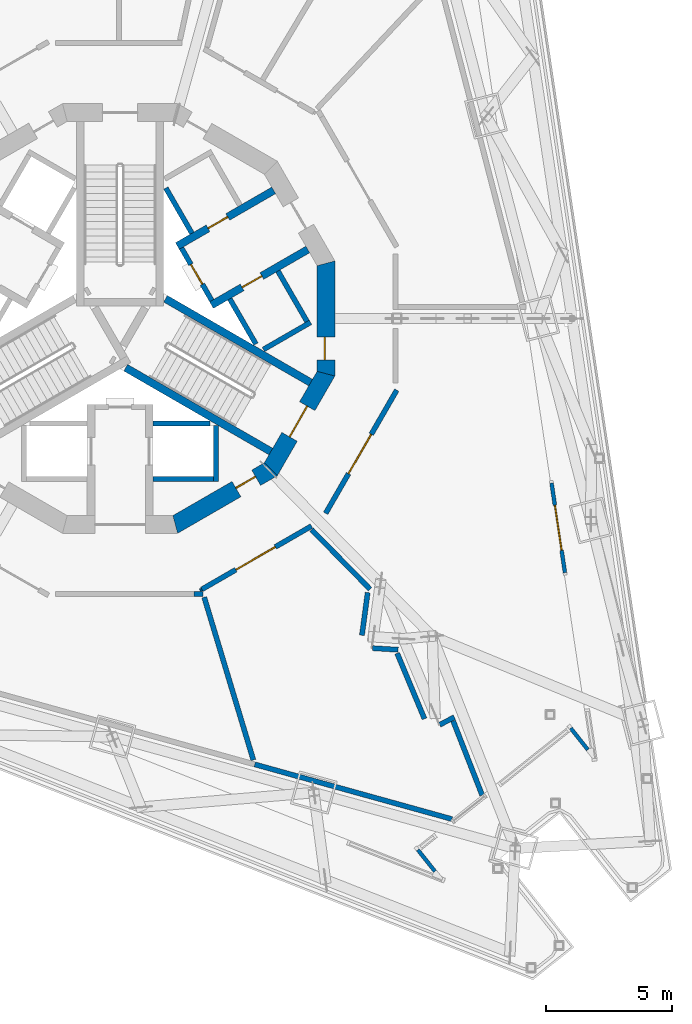
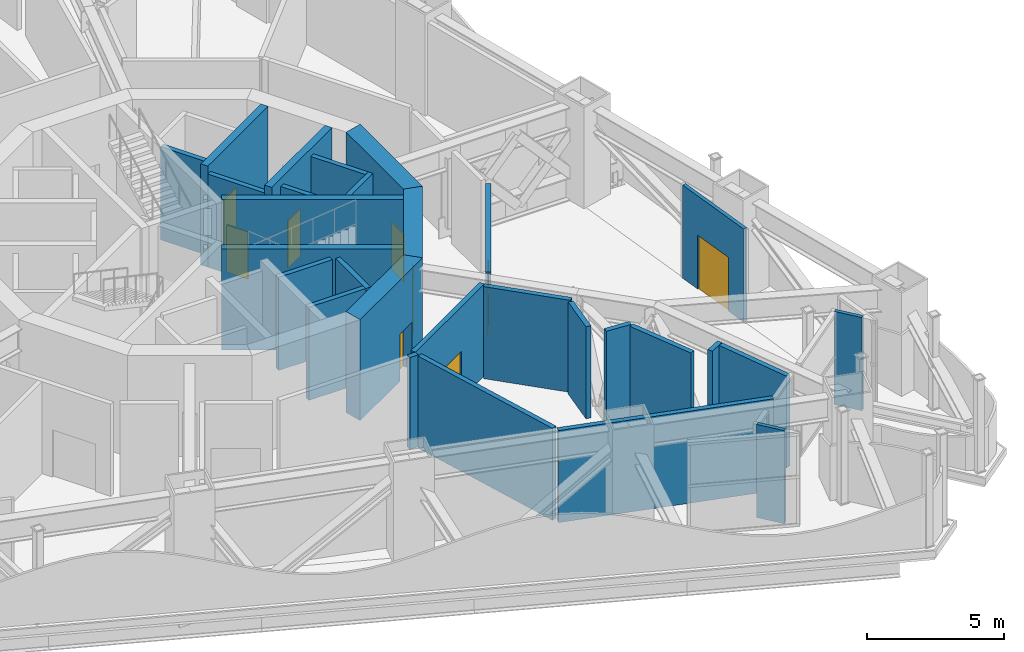
# One storey, part 12 of 27: 30 walls, 9 doors, 9 openings.
"""IFC4 building model written with IfcOpenShell, lengths in metres."""

from ifc_helpers import new_model, si_unit, direction, frame, frame_2d, origin, place, context, subcontext, project, spatial, polyline, rectangle, outline, extrude, material, layer, layer_set, type_object, element, fill, save


model = new_model("IFC4")

# Units and contexts
model_context = context("Model", 3, precision=1e-05, world=origin(), true_north=direction((0.0, 1.0)))
body_context = subcontext(model_context, "Body", "Model", "MODEL_VIEW")
ifc_project = project(units=[si_unit("LENGTHUNIT", "METRE"), si_unit("AREAUNIT", "SQUARE_METRE"), si_unit("VOLUMEUNIT", "CUBIC_METRE"), si_unit("PLANEANGLEUNIT", "RADIAN"), si_unit("MASSUNIT", "GRAM", prefix="KILO")], contexts=[model_context])

# Site, building, storey
site_placement = place(None, origin())
site = spatial("IfcSite", under=ifc_project, at=site_placement, CompositionType="ELEMENT")
building_placement = place(site_placement, origin())
building = spatial("IfcBuilding", under=site, at=building_placement, Name="Trine Commons Tower", CompositionType="ELEMENT")
storey_placement = place(building_placement, frame((0.0, 0.0, 230.39990234375)))
storey = spatial("IfcBuildingStorey", under=building, at=storey_placement, Name="L60", CompositionType="ELEMENT", Elevation=230.39990234375)

# Wall
ifc_material_1 = material(Name="Plasterboard on steel stud", Category="steel")
ifc_layer_1 = layer(ifc_material_1, 0.199951171875)
ifc_layer_set_1 = layer_set([ifc_layer_1], Name="Plasterboard on steel stud")
wall_type_1 = type_object("IfcWallType", Name="Fire wall 200 mm, EI 120", PredefinedType="PARTITIONING", material=ifc_layer_set_1)
wall_1_placement = place(storey_placement, frame((82.9248046875, 51.599853515625, 0.0), z_axis=(0.0, 0.0, 1.0), x_axis=(1.0, 0.0, 0.0)))
element("IfcWall", 1, at=wall_1_placement, inside=storey, type_object=wall_type_1, Name="Partition M60032", PredefinedType="PARTITIONING", context=body_context, shape_type="SweptSolid", body=[
    extrude(rectangle(XDim=0.35986328125, YDim=0.199951171875, at=frame_2d((0.179931640625, 0.0))), origin(), (0.0, 0.0, 1.0), 4.10009765625),
])

# Wall, opening, door
wall_2_placement = place(storey_placement, frame((83.236328125, 51.7822265625, 0.0), z_axis=(0.0, 0.0, 1.0), x_axis=(0.866042781899, 0.499969899014, 0.0)))
wall_2 = element("IfcWall", 2, at=wall_2_placement, inside=storey, type_object=wall_type_1, Name="Partition M60033", PredefinedType="PARTITIONING", context=body_context, shape_type="SweptSolid", body=[
    extrude(rectangle(XDim=5.010498046875, YDim=0.199951171875, at=frame_2d((2.50537109375, 0.0))), origin(), (0.0, 0.0, 1.0), 4.10009765625),
])
opening_1_placement = place(wall_2_placement, frame((1.55517578125, 0.0, 0.0)))
opening_1 = element("IfcOpeningElement", 3, at=opening_1_placement, cuts=wall_2, Name="Opening D-M6009", PredefinedType="OPENING", context=body_context, shape_type="SweptSolid", body=[
    extrude(rectangle(XDim=1.800048828125, YDim=2.10009765625, at=frame_2d((0.89990234375, 1.050048828125))), frame((0.0, 0.10986328125, 0.0), z_axis=(0.0, -1.0, 0.0), x_axis=(1.0, 0.0, 0.0)), (0.0, 0.0, 1.0), 0.219970703125),
])
ifc_material_2 = material(Name="Timber fire door set", Category="wood")
door_type_1 = type_object("IfcDoorType", Name="Double swing door 1800x2100, FD60", OperationType="DOUBLE_DOOR_DOUBLE_SWING", PredefinedType="DOOR", material=ifc_material_2)
door_1_placement = place(opening_1_placement, origin())
door_1 = element("IfcDoor", 4, at=door_1_placement, inside=storey, type_object=door_type_1, Name="Door D-M6009", OperationType="DOUBLE_DOOR_DOUBLE_SWING", OverallHeight=2.10009765625, OverallWidth=1.800048828125, PredefinedType="DOOR", context=body_context, shape_type="SweptSolid", body=[
    extrude(rectangle(XDim=1.800048828125, YDim=2.10009765625, at=frame_2d((0.89990234375, 1.050048828125))), frame((0.0, 0.02490234375, 0.0), z_axis=(0.0, -1.0, 0.0), x_axis=(1.0, 0.0, 0.0)), (0.0, 0.0, 1.0), 0.050048828125),
])
fill(opening_1, door_1)

# Walls
wall_3_placement = place(storey_placement, frame((83.33056640625, 51.47119140625, 0.0), z_axis=(0.0, 0.0, 1.0), x_axis=(0.289078637326, -0.957305354337, 0.0)))
element("IfcWall", 5, at=wall_3_placement, inside=storey, type_object=wall_type_1, Name="Partition M60034", PredefinedType="PARTITIONING", context=body_context, shape_type="SweptSolid", body=[
    extrude(rectangle(XDim=6.727783203125, YDim=0.199951171875, at=frame_2d((3.36376953125, 0.0))), origin(), (0.0, 0.0, 1.0), 4.10009765625),
])
wall_4_placement = place(storey_placement, frame((85.329833984375, 44.8564453125, 0.0), z_axis=(0.0, 0.0, 1.0), x_axis=(0.963623200607, -0.267264526737, 0.0)))
element("IfcWall", 6, at=wall_4_placement, inside=storey, type_object=wall_type_1, Name="Partition M60039", PredefinedType="PARTITIONING", context=body_context, shape_type="SweptSolid", body=[
    extrude(rectangle(XDim=8.099853515625, YDim=0.199951171875, at=frame_2d((4.0498046875, 0.0))), origin(), (0.0, 0.0, 1.0), 4.10009765625),
])
wall_5_placement = place(storey_placement, frame((87.580810546875, 54.143798828125, 0.0), z_axis=(0.0, 0.0, 1.0), x_axis=(0.700871894429, -0.7132871705, 0.0)))
element("IfcWall", 7, at=wall_5_placement, inside=storey, type_object=wall_type_1, Name="Partition M60045", PredefinedType="PARTITIONING", context=body_context, shape_type="SweptSolid", body=[
    extrude(rectangle(XDim=3.3037109375, YDim=0.199951171875, at=frame_2d((1.65185546875, 0.0))), origin(), (0.0, 0.0, 1.0), 4.10009765625),
])

# Wall, opening, door
wall_6_placement = place(storey_placement, frame((88.135986328125, 54.79150390625, 0.0), z_axis=(0.0, 0.0, 1.0), x_axis=(0.499987785189, 0.866032455894, 0.0)))
wall_6 = element("IfcWall", 8, at=wall_6_placement, inside=storey, type_object=wall_type_1, Name="Partition M60050", PredefinedType="PARTITIONING", context=body_context, shape_type="SweptSolid", body=[
    extrude(rectangle(XDim=5.628662109375, YDim=0.199951171875, at=frame_2d((2.814453125, 0.0))), origin(), (0.0, 0.0, 1.0), 4.10009765625),
])
opening_2_placement = place(wall_6_placement, frame((1.812255859375, 0.0, 0.0)))
opening_2 = element("IfcOpeningElement", 9, at=opening_2_placement, cuts=wall_6, Name="Opening D-M6013", PredefinedType="OPENING", context=body_context, shape_type="SweptSolid", body=[
    extrude(rectangle(XDim=1.800048828125, YDim=2.10009765625, at=frame_2d((0.89990234375, 1.050048828125))), frame((0.0, 0.10986328125, 0.0), z_axis=(0.0, -1.0, 0.0), x_axis=(1.0, 0.0, 0.0)), (0.0, 0.0, 1.0), 0.219970703125),
])
door_2_placement = place(opening_2_placement, origin())
door_2 = element("IfcDoor", 10, at=door_2_placement, inside=storey, type_object=door_type_1, Name="Door D-M6013", OperationType="DOUBLE_DOOR_DOUBLE_SWING", OverallHeight=2.10009765625, OverallWidth=1.800048828125, PredefinedType="DOOR", context=body_context, shape_type="SweptSolid", body=[
    extrude(rectangle(XDim=1.800048828125, YDim=2.10009765625, at=frame_2d((0.89990234375, 1.050048828125))), frame((0.0, 0.02490234375, 0.0), z_axis=(0.0, -1.0, 0.0), x_axis=(1.0, 0.0, 0.0)), (0.0, 0.0, 1.0), 0.050048828125),
])
fill(opening_2, door_2)

# Walls
wall_7_placement = place(storey_placement, frame((89.57275390625, 49.96435546875, 0.0), z_axis=(0.0, 0.0, 1.0), x_axis=(0.132604090327, 0.991169085085, 0.0)))
element("IfcWall", 11, at=wall_7_placement, inside=storey, type_object=wall_type_1, Name="Partition M60051", PredefinedType="PARTITIONING", context=body_context, shape_type="SweptSolid", body=[
    extrude(rectangle(XDim=1.706787109375, YDim=0.199951171875, at=frame_2d((0.853515625, 0.0))), origin(), (0.0, 0.0, 1.0), 4.10009765625),
])
wall_8_placement = place(storey_placement, frame((89.990966796875, 49.45556640625, 0.0), z_axis=(0.0, 0.0, 1.0), x_axis=(0.998090730548, -0.061764824886, 0.0)))
element("IfcWall", 12, at=wall_8_placement, inside=storey, type_object=wall_type_1, Name="Partition M60052", PredefinedType="PARTITIONING", context=body_context, shape_type="SweptSolid", body=[
    extrude(rectangle(XDim=1.015869140625, YDim=0.199951171875, at=frame_2d((0.5078125, 0.0))), origin(), (0.0, 0.0, 1.0), 4.10009765625),
])
wall_9_placement = place(storey_placement, frame((90.966796875, 49.250732421875, 0.0), z_axis=(0.0, 0.0, 1.0), x_axis=(0.384701865407, -0.923040884659, 0.0)))
element("IfcWall", 13, at=wall_9_placement, inside=storey, type_object=wall_type_1, Name="Partition M60057", PredefinedType="PARTITIONING", context=body_context, shape_type="SweptSolid", body=[
    extrude(rectangle(XDim=2.806396484375, YDim=0.199951171875, at=frame_2d((1.4033203125, 0.0))), origin(), (0.0, 0.0, 1.0), 4.10009765625),
])
wall_10_placement = place(storey_placement, frame((92.6484375, 46.424072265625, 0.0), z_axis=(0.0, 0.0, 1.0), x_axis=(0.888453803004, 0.458966055311, 0.0)))
element("IfcWall", 14, at=wall_10_placement, inside=storey, type_object=wall_type_1, Name="Partition M60060", PredefinedType="PARTITIONING", context=body_context, shape_type="SweptSolid", body=[
    extrude(rectangle(XDim=0.654296875, YDim=0.199951171875, at=frame_2d((0.3271484375, 0.0))), origin(), (0.0, 0.0, 1.0), 4.10009765625),
])
wall_11_placement = place(storey_placement, frame((93.18115234375, 46.5751953125, 0.0), z_axis=(0.0, 0.0, 1.0), x_axis=(0.364218185379, -0.931313649336, 0.0)))
element("IfcWall", 15, at=wall_11_placement, inside=storey, type_object=wall_type_1, Name="Partition M60061", PredefinedType="PARTITIONING", context=body_context, shape_type="SweptSolid", body=[
    extrude(rectangle(XDim=3.150390625, YDim=0.199951171875, at=frame_2d((1.5751953125, 0.0))), origin(), (0.0, 0.0, 1.0), 4.10009765625),
])

# Wall, opening, door
ifc_material_3 = material(Name="Aluminium-framed insulated wall panel", Category="aluminium")
ifc_layer_2 = layer(ifc_material_3, 0.14990234375)
ifc_layer_set_2 = layer_set([ifc_layer_2], Name="Aluminium-framed insulated wall panel")
wall_type_2 = type_object("IfcWallType", Name="Glazed entrance wall 150, EI 60", PredefinedType="SOLIDWALL", material=ifc_layer_set_2)
wall_12_placement = place(storey_placement, frame((97.07568359375, 55.987548828125, 0.0), z_axis=(0.0, 0.0, 1.0), x_axis=(0.147804436793, -0.989016606769, 0.0)))
wall_12 = element("IfcWall", 16, at=wall_12_placement, inside=storey, type_object=wall_type_2, Name="Glazed entrance wall L60 F2 9", PredefinedType="SOLIDWALL", context=body_context, shape_type="SweptSolid", body=[
    extrude(rectangle(XDim=3.5859375, YDim=0.14990234375, at=frame_2d((1.79296875, 0.0))), origin(), (0.0, 0.0, 1.0), 4.150146484375),
])
opening_3_placement = place(wall_12_placement, frame((0.89306640625, 0.0, 0.0)))
opening_3 = element("IfcOpeningElement", 17, at=opening_3_placement, cuts=wall_12, Name="Opening SD-L60-F2-09", PredefinedType="OPENING", context=body_context, shape_type="SweptSolid", body=[
    extrude(rectangle(XDim=1.800048828125, YDim=2.39990234375, at=frame_2d((0.89990234375, 1.199951171875))), frame((0.0, 0.0849609375, 0.0), z_axis=(0.0, -1.0, 0.0), x_axis=(1.0, 0.0, 0.0)), (0.0, 0.0, 1.0), 0.169921875),
])
ifc_material_4 = material(Name="Anodised aluminium frame with double glazing", Category="aluminium")
door_type_2 = type_object("IfcDoorType", Name="Sliding double door 1800x2400", OperationType="DOUBLE_DOOR_SLIDING", PredefinedType="DOOR", material=ifc_material_4)
door_3_placement = place(opening_3_placement, origin())
door_3 = element("IfcDoor", 18, at=door_3_placement, inside=storey, type_object=door_type_2, Name="Loggia door L60 F2 9", OperationType="DOUBLE_DOOR_SLIDING", OverallHeight=2.39990234375, OverallWidth=1.800048828125, PredefinedType="DOOR", context=body_context, shape_type="SweptSolid", body=[
    extrude(rectangle(XDim=1.800048828125, YDim=2.39990234375, at=frame_2d((0.89990234375, 1.199951171875))), frame((0.0, 0.02490234375, 0.0), z_axis=(0.0, -1.0, 0.0), x_axis=(1.0, 0.0, 0.0)), (0.0, 0.0, 1.0), 0.050048828125),
])
fill(opening_3, door_3)

# Walls
ifc_layer_3 = layer(ifc_material_3, 0.14990234375)
ifc_layer_set_3 = layer_set([ifc_layer_3], Name="Aluminium-framed insulated wall panel")
wall_type_3 = type_object("IfcWallType", Name="Glazed frame wall 150, EI 60", PredefinedType="SOLIDWALL", material=ifc_layer_set_3)
wall_13_placement = place(storey_placement, frame((98.603759765625, 45.320556640625, 0.0), z_axis=(0.0, 0.0, 1.0), x_axis=(-0.6225008228, 0.782619144676, 0.0)))
element("IfcWall", 19, at=wall_13_placement, inside=storey, type_object=wall_type_3, Name="Glazed frame wall L60 R6", PredefinedType="SOLIDWALL", context=body_context, shape_type="SweptSolid", body=[
    extrude(outline(polyline([(0.1494140625, 0.074951171875), (0.1494140625, -0.074951171875), (1.235107421875, -0.074951171875), (1.235107421875, 0.074951171875), (0.1494140625, 0.074951171875)])), origin(), (0.0, 0.0, 1.0), 4.150146484375),
])
wall_14_placement = place(storey_placement, frame((91.716796875, 41.56103515625, 0.0), z_axis=(0.0, 0.0, 1.0), x_axis=(0.622611995912, -0.7825307039, 0.0)))
element("IfcWall", 20, at=wall_14_placement, inside=storey, type_object=wall_type_3, Name="Glazed frame wall L60 R8", PredefinedType="SOLIDWALL", context=body_context, shape_type="SweptSolid", body=[
    extrude(outline(polyline([(0.110107421875, 0.074951171875), (0.110107421875, -0.074951171875), (1.19580078125, -0.074951171875), (1.19580078125, 0.074951171875), (0.110107421875, 0.074951171875)])), origin(), (0.0, 0.0, 1.0), 4.150146484375),
])

# Wall, opening, door
ifc_material_5 = material(Name="Fire-rated gypsum shaft wall system")
ifc_layer_4 = layer(ifc_material_5, 0.199951171875)
ifc_layer_set_4 = layer_set([ifc_layer_4], Name="Fire-rated gypsum shaft wall system")
wall_type_4 = type_object("IfcWallType", Name="Lobby end wall 200 mm, EI 120", PredefinedType="PARTITIONING", material=ifc_layer_set_4)
wall_15_placement = place(storey_placement, frame((83.631103515625, 63.2109375, 0.0), z_axis=(0.0, 0.0, 1.0), x_axis=(-0.50012165622, 0.865955154139, 0.0)))
wall_15 = element("IfcWall", 21, at=wall_15_placement, inside=storey, type_object=wall_type_4, Name="Lobby end wall L60", PredefinedType="PARTITIONING", context=body_context, shape_type="SweptSolid", body=[
    extrude(rectangle(XDim=2.39990234375, YDim=0.199951171875, at=frame_2d((1.199951171875, 0.0))), origin(), (0.0, 0.0, 1.0), 4.150146484375),
])
opening_4_placement = place(wall_15_placement, frame((0.749755859375, 0.0, 0.0)))
opening_4 = element("IfcOpeningElement", 22, at=opening_4_placement, cuts=wall_15, Name="Opening K17.05", PredefinedType="OPENING", context=body_context, shape_type="SweptSolid", body=[
    extrude(rectangle(XDim=0.89990234375, YDim=2.10009765625, at=frame_2d((0.449951171875, 1.050048828125))), frame((0.0, 0.10986328125, 0.0), z_axis=(0.0, -1.0, 0.0), x_axis=(1.0, 0.0, 0.0)), (0.0, 0.0, 1.0), 0.219970703125),
])
ifc_material_6 = material(Name="Steel door leaf, fire-rated", Category="steel")
door_type_3 = type_object("IfcDoorType", Name="Riser access door, single leaf 900 x 2100, FD60", OperationType="SINGLE_SWING_LEFT", PredefinedType="DOOR", material=ifc_material_6)
door_4_placement = place(opening_4_placement, frame((0.89990234375, 0.0, 0.0), z_axis=(0.0, 0.0, 1.0), x_axis=(-1.0, 0.0, 0.0)))
door_4 = element("IfcDoor", 23, at=door_4_placement, inside=storey, type_object=door_type_3, Name="Riser door, Electrical riser L60", OperationType="SINGLE_SWING_LEFT", OverallHeight=2.10009765625, OverallWidth=0.89990234375, PredefinedType="DOOR", context=body_context, shape_type="SweptSolid", body=[
    extrude(rectangle(XDim=0.89990234375, YDim=2.10009765625, at=frame_2d((0.449951171875, 1.050048828125))), frame((0.0, 0.02490234375, 0.0), z_axis=(0.0, -1.0, 0.0), x_axis=(1.0, 0.0, 0.0)), (0.0, 0.0, 1.0), 0.050048828125),
])
fill(opening_4, door_4)

# Wall
ifc_layer_5 = layer(ifc_material_1, 0.10009765625)
ifc_layer_set_5 = layer_set([ifc_layer_5], Name="Plasterboard on steel stud")
wall_type_5 = type_object("IfcWallType", Name="Partition wall 100 mm stud, not rated", PredefinedType="PARTITIONING", material=ifc_layer_set_5)
wall_16_placement = place(storey_placement, frame((83.17236328125, 51.7451171875, 0.0), z_axis=(0.0, 0.0, 1.0), x_axis=(0.865734831114, 0.500502949238, 0.0)))
element("IfcWall", 24, at=wall_16_placement, inside=storey, type_object=wall_type_5, Name="Partition M60031", PredefinedType="PARTITIONING", context=body_context, shape_type="SweptSolid", body=[
    extrude(rectangle(XDim=0.072265625, YDim=0.10009765625, at=frame_2d((0.0361328125, 0.0))), origin(), (0.0, 0.0, 1.0), 4.10009765625),
])

# Wall, opening, door
ifc_material_7 = material(Name="Concrete C50/60", Category="concrete")
ifc_layer_6 = layer(ifc_material_7, 0.300048828125)
ifc_layer_set_6 = layer_set([ifc_layer_6], Name="Concrete C50/60")
wall_type_6 = type_object("IfcWallType", Name="RC shear wall 300 mm, C50/60", PredefinedType="SHEAR", material=ifc_layer_set_6)
wall_17_placement = place(storey_placement, frame((82.26904296875, 65.368896484375, 0.0), z_axis=(0.0, 0.0, 1.0), x_axis=(0.866035918664, 0.499981787252, 0.0)))
wall_17 = element("IfcWall", 25, at=wall_17_placement, inside=storey, type_object=wall_type_6, Name="Core cross wall SWC-05 L60", PredefinedType="SHEAR", context=body_context, shape_type="SweptSolid", body=[
    extrude(rectangle(XDim=4.400634765625, YDim=0.300048828125, at=frame_2d((2.2001953125, 0.0))), origin(), (0.0, 0.0, 1.0), 4.5),
])
opening_5_placement = place(wall_17_placement, frame((1.400390625, 0.0, 0.0)))
opening_5 = element("IfcOpeningElement", 26, at=opening_5_placement, cuts=wall_17, Name="Opening K17.10", PredefinedType="OPENING", context=body_context, shape_type="SweptSolid", body=[
    extrude(rectangle(XDim=0.89990234375, YDim=2.10009765625, at=frame_2d((0.449951171875, 1.050048828125))), frame((0.0, 0.159912109375, 0.0), z_axis=(0.0, -1.0, 0.0), x_axis=(1.0, 0.0, 0.0)), (0.0, 0.0, 1.0), 0.320068359375),
])
door_type_4 = type_object("IfcDoorType", Name="Core room door, single leaf 900 x 2100, FD30S", OperationType="SINGLE_SWING_LEFT", PredefinedType="DOOR", material=ifc_material_6)
door_5_placement = place(opening_5_placement, origin())
door_5 = element("IfcDoor", 27, at=door_5_placement, inside=storey, type_object=door_type_4, Name="Door to Store L60", OperationType="SINGLE_SWING_LEFT", OverallHeight=2.10009765625, OverallWidth=0.89990234375, PredefinedType="DOOR", context=body_context, shape_type="SweptSolid", body=[
    extrude(rectangle(XDim=0.89990234375, YDim=2.10009765625, at=frame_2d((0.449951171875, 1.050048828125))), frame((0.0, 0.02490234375, 0.0), z_axis=(0.0, -1.0, 0.0), x_axis=(1.0, 0.0, 0.0)), (0.0, 0.0, 1.0), 0.050048828125),
])
fill(opening_5, door_5)

wall_18_placement = place(storey_placement, frame((83.618896484375, 63.031005859375, 0.0), z_axis=(0.0, 0.0, 1.0), x_axis=(0.866059941101, 0.499940174841, 0.0)))
wall_18 = element("IfcWall", 28, at=wall_18_placement, inside=storey, type_object=wall_type_6, Name="Core cross wall SWC-06 L60", PredefinedType="SHEAR", context=body_context, shape_type="SweptSolid", body=[
    extrude(rectangle(XDim=4.400390625, YDim=0.300048828125, at=frame_2d((2.2001953125, 0.0))), origin(), (0.0, 0.0, 1.0), 4.5),
])
opening_6_placement = place(wall_18_placement, frame((1.400390625, 0.0, 0.0)))
opening_6 = element("IfcOpeningElement", 29, at=opening_6_placement, cuts=wall_18, Name="Opening K17.11", PredefinedType="OPENING", context=body_context, shape_type="SweptSolid", body=[
    extrude(rectangle(XDim=0.89990234375, YDim=2.10009765625, at=frame_2d((0.449951171875, 1.050048828125))), frame((0.0, 0.159912109375, 0.0), z_axis=(0.0, -1.0, 0.0), x_axis=(1.0, 0.0, 0.0)), (0.0, 0.0, 1.0), 0.320068359375),
])
door_6_placement = place(opening_6_placement, frame((0.89990234375, 0.0, 0.0), z_axis=(0.0, 0.0, 1.0), x_axis=(-1.0, 0.0, 0.0)))
door_6 = element("IfcDoor", 30, at=door_6_placement, inside=storey, type_object=door_type_4, Name="Door to Store L60", OperationType="SINGLE_SWING_LEFT", OverallHeight=2.10009765625, OverallWidth=0.89990234375, PredefinedType="DOOR", context=body_context, shape_type="SweptSolid", body=[
    extrude(rectangle(XDim=0.89990234375, YDim=2.10009765625, at=frame_2d((0.449951171875, 1.050048828125))), frame((0.0, 0.02490234375, 0.0), z_axis=(0.0, -1.0, 0.0), x_axis=(1.0, 0.0, 0.0)), (0.0, 0.0, 1.0), 0.050048828125),
])
fill(opening_6, door_6)

# Walls
for number, where, z_axis, x_axis, name in (
    (31, (80.22509765625, 60.552001953125, 0.0), (0.0, 0.0, 1.0), (0.866009627307, -0.500027324665, 0.0), "Core cross wall SWC-13 L60"),
    (32, (81.800048828125, 63.280029296875, 0.0), (0.0, 0.0, 1.0), (0.866009627307, -0.500027324665, 0.0), "Core cross wall SWC-18 L60"),
):
    element("IfcWall", number, at=place(storey_placement, frame(where, z_axis=z_axis, x_axis=x_axis)), inside=storey, type_object=wall_type_6, Name=name, PredefinedType="SHEAR", context=body_context, shape_type="SweptSolid", body=[
        extrude(rectangle(XDim=6.631591796875, YDim=0.300048828125, at=frame_2d((3.31591796875, 0.0))), origin(), (0.0, 0.0, 1.0), 4.5),
    ])

# Wall, opening, door
ifc_layer_7 = layer(ifc_material_7, 0.699951171875)
ifc_layer_set_7 = layer_set([ifc_layer_7], Name="Concrete C50/60")
wall_type_7 = type_object("IfcWallType", Name="RC shear wall 700 mm, C50/60", PredefinedType="SHEAR", material=ifc_layer_set_7)
wall_19_placement = place(storey_placement, frame((88.150146484375, 60.222412109375, 0.0), z_axis=(0.0, 0.0, 1.0), x_axis=(0.0, 1.0, 0.0)))
wall_19 = element("IfcWall", 33, at=wall_19_placement, inside=storey, type_object=wall_type_7, Name="Core wall CWG-01 L60", PredefinedType="SHEAR", context=body_context, shape_type="SweptSolid", body=[
    extrude(outline(polyline([(0.0, -0.35009765625), (4.55517578125, -0.35009765625), (4.36767578125, 0.35009765625), (0.1875, 0.35009765625), (0.0, -0.35009765625)])), origin(), (0.0, 0.0, 1.0), 4.5),
])
opening_7_placement = place(wall_19_placement, frame((0.6416015625, 0.0, 0.0)))
opening_7 = element("IfcOpeningElement", 34, at=opening_7_placement, cuts=wall_19, Name="Opening K17.17", PredefinedType="OPENING", context=body_context, shape_type="SweptSolid", body=[
    extrude(rectangle(XDim=0.89990234375, YDim=2.10009765625, at=frame_2d((0.449951171875, 1.050048828125))), frame((0.0, 0.35986328125, 0.0), z_axis=(0.0, -1.0, 0.0), x_axis=(1.0, 0.0, 0.0)), (0.0, 0.0, 1.0), 0.719970703125),
])
door_7_placement = place(opening_7_placement, origin())
door_7 = element("IfcDoor", 35, at=door_7_placement, inside=storey, type_object=door_type_4, Name="Door to Comms room L60", OperationType="SINGLE_SWING_LEFT", OverallHeight=2.10009765625, OverallWidth=0.89990234375, PredefinedType="DOOR", context=body_context, shape_type="SweptSolid", body=[
    extrude(rectangle(XDim=0.89990234375, YDim=2.10009765625, at=frame_2d((0.449951171875, 1.050048828125))), frame((0.0, 0.0751953125, 0.0), z_axis=(0.0, -1.0, 0.0), x_axis=(1.0, 0.0, 0.0)), (0.0, 0.0, 1.0), 0.050048828125),
])
fill(opening_7, door_7)

wall_20_placement = place(storey_placement, frame((82.1025390625, 54.302978515625, 0.0), z_axis=(0.0, 0.0, 1.0), x_axis=(0.866034756103, 0.499983800959, 0.0)))
wall_20 = element("IfcWall", 36, at=wall_20_placement, inside=storey, type_object=wall_type_7, Name="Core wall CWG-11 L60", PredefinedType="SHEAR", context=body_context, shape_type="SweptSolid", body=[
    extrude(outline(polyline([(0.0, -0.35009765625), (4.55517578125, -0.35009765625), (4.36767578125, 0.35009765625), (0.1875, 0.35009765625), (0.0, -0.35009765625)])), origin(), (0.0, 0.0, 1.0), 4.5),
])
opening_8_placement = place(wall_20_placement, frame((2.891845703125, 0.0, 0.0)))
opening_8 = element("IfcOpeningElement", 37, at=opening_8_placement, cuts=wall_20, Name="Opening K17.16", PredefinedType="OPENING", context=body_context, shape_type="SweptSolid", body=[
    extrude(rectangle(XDim=0.89990234375, YDim=2.10009765625, at=frame_2d((0.449951171875, 1.050048828125))), frame((0.0, 0.35986328125, 0.0), z_axis=(0.0, -1.0, 0.0), x_axis=(1.0, 0.0, 0.0)), (0.0, 0.0, 1.0), 0.719970703125),
])
door_8_placement = place(opening_8_placement, origin())
door_8 = element("IfcDoor", 38, at=door_8_placement, inside=storey, type_object=door_type_4, Name="Door to Store L60", OperationType="SINGLE_SWING_RIGHT", OverallHeight=2.10009765625, OverallWidth=0.89990234375, PredefinedType="DOOR", context=body_context, shape_type="SweptSolid", body=[
    extrude(rectangle(XDim=0.89990234375, YDim=2.10009765625, at=frame_2d((0.449951171875, 1.050048828125))), frame((0.0, 0.0751953125, 0.0), z_axis=(0.0, -1.0, 0.0), x_axis=(1.0, 0.0, 0.0)), (0.0, 0.0, 1.0), 0.050048828125),
])
fill(opening_8, door_8)

wall_21_placement = place(storey_placement, frame((85.91943359375, 56.452392578125, 0.0), z_axis=(0.0, 0.0, 1.0), x_axis=(0.499983800959, 0.866034756103, 0.0)))
wall_21 = element("IfcWall", 39, at=wall_21_placement, inside=storey, type_object=wall_type_7, Name="Core wall CWG-12 L60", PredefinedType="SHEAR", context=body_context, shape_type="SweptSolid", body=[
    extrude(outline(polyline([(0.0, -0.35009765625), (4.55517578125, -0.35009765625), (4.36767578125, 0.35009765625), (0.1875, 0.35009765625), (0.0, -0.35009765625)])), origin(), (0.0, 0.0, 1.0), 4.5),
])
opening_9_placement = place(wall_21_placement, frame((1.577392578125, 0.0, 0.0)))
opening_9 = element("IfcOpeningElement", 40, at=opening_9_placement, cuts=wall_21, Name="Opening K17.03", PredefinedType="OPENING", context=body_context, shape_type="SweptSolid", body=[
    extrude(rectangle(XDim=1.39990234375, YDim=2.10009765625, at=frame_2d((0.699951171875, 1.050048828125))), frame((0.0, 0.35986328125, 0.0), z_axis=(0.0, -1.0, 0.0), x_axis=(1.0, 0.0, 0.0)), (0.0, 0.0, 1.0), 0.719970703125),
])
ifc_material_8 = material(Name="Steel door leaves, fire-rated", Category="steel")
door_type_5 = type_object("IfcDoorType", Name="Stair door, double leaf 1400 x 2100, FD90", OperationType="DOUBLE_DOOR_SINGLE_SWING", PredefinedType="DOOR", material=ifc_material_8)
door_9_placement = place(opening_9_placement, origin())
door_9 = element("IfcDoor", 41, at=door_9_placement, inside=storey, type_object=door_type_5, Name="Stair door to Exit stair ST3C L60", OperationType="DOUBLE_DOOR_SINGLE_SWING", OverallHeight=2.10009765625, OverallWidth=1.39990234375, PredefinedType="DOOR", context=body_context, shape_type="SweptSolid", body=[
    extrude(rectangle(XDim=1.39990234375, YDim=2.10009765625, at=frame_2d((0.699951171875, 1.050048828125))), frame((0.0, 0.02490234375, 0.0), z_axis=(0.0, -1.0, 0.0), x_axis=(1.0, 0.0, 0.0)), (0.0, 0.0, 1.0), 0.050048828125),
])
fill(opening_9, door_9)

# Walls
ifc_layer_8 = layer(ifc_material_5, 0.199951171875)
ifc_layer_set_8 = layer_set([ifc_layer_8], Name="Fire-rated gypsum shaft wall system")
wall_type_8 = type_object("IfcWallType", Name="Shaft wall 200 mm, EI 120", PredefinedType="PARTITIONING", material=ifc_layer_set_8)
wall_22_placement = place(storey_placement, frame((81.300048828125, 56.14990234375, 0.0), z_axis=(0.0, 0.0, 1.0), x_axis=(1.0, 0.0, 0.0)))
element("IfcWall", 42, at=wall_22_placement, inside=storey, type_object=wall_type_8, Name="Shaft wall L60", PredefinedType="PARTITIONING", context=body_context, shape_type="SweptSolid", body=[
    extrude(rectangle(XDim=2.39990234375, YDim=0.199951171875, at=frame_2d((1.199951171875, 0.0))), origin(), (0.0, 0.0, 1.0), 4.150146484375),
])
wall_23_placement = place(storey_placement, frame((81.300048828125, 58.35009765625, 0.0), z_axis=(0.0, 0.0, 1.0), x_axis=(1.0, 0.0, 0.0)))
element("IfcWall", 43, at=wall_23_placement, inside=storey, type_object=wall_type_8, Name="Shaft wall L60", PredefinedType="PARTITIONING", context=body_context, shape_type="SweptSolid", body=[
    extrude(rectangle(XDim=2.264892578125, YDim=0.199951171875, at=frame_2d((1.13232421875, 0.0))), origin(), (0.0, 0.0, 1.0), 4.150146484375),
])
wall_24_placement = place(storey_placement, frame((82.843994140625, 65.8740234375, 0.0), z_axis=(0.0, 0.0, 1.0), x_axis=(-0.499865770674, 0.866102887253, 0.0)))
element("IfcWall", 44, at=wall_24_placement, inside=storey, type_object=wall_type_8, Name="Shaft wall L60", PredefinedType="PARTITIONING", context=body_context, shape_type="SweptSolid", body=[
    extrude(rectangle(XDim=2.064453125, YDim=0.199951171875, at=frame_2d((1.0322265625, 0.0))), origin(), (0.0, 0.0, 1.0), 4.150146484375),
])
wall_25_placement = place(storey_placement, frame((83.800048828125, 58.257080078125, 0.0), z_axis=(0.0, 0.0, 1.0), x_axis=(0.0, -1.0, 0.0)))
element("IfcWall", 45, at=wall_25_placement, inside=storey, type_object=wall_type_8, Name="Shaft wall L60", PredefinedType="PARTITIONING", context=body_context, shape_type="SweptSolid", body=[
    extrude(rectangle(XDim=2.20703125, YDim=0.199951171875, at=frame_2d((1.103515625, 0.0))), origin(), (0.0, 0.0, 1.0), 4.150146484375),
])
wall_26_placement = place(storey_placement, frame((84.343994140625, 63.27587890625, 0.0), z_axis=(0.0, 0.0, 1.0), x_axis=(0.500271688072, -0.86586848777, 0.0)))
element("IfcWall", 46, at=wall_26_placement, inside=storey, type_object=wall_type_8, Name="Shaft wall L60", PredefinedType="PARTITIONING", context=body_context, shape_type="SweptSolid", body=[
    extrude(rectangle(XDim=2.064697265625, YDim=0.199951171875, at=frame_2d((1.0322265625, 0.0))), origin(), (0.0, 0.0, 1.0), 4.150146484375),
])
wall_27_placement = place(storey_placement, frame((85.675048828125, 61.27392578125, 0.0), z_axis=(0.0, 0.0, 1.0), x_axis=(0.866102336459, 0.499866725018, 0.0)))
element("IfcWall", 47, at=wall_27_placement, inside=storey, type_object=wall_type_8, Name="Shaft wall L60", PredefinedType="PARTITIONING", context=body_context, shape_type="SweptSolid", body=[
    extrude(rectangle(XDim=2.1484375, YDim=0.199951171875, at=frame_2d((1.07421875, 0.0))), origin(), (0.0, 0.0, 1.0), 4.150146484375),
])
wall_28_placement = place(storey_placement, frame((86.2490234375, 64.3759765625, 0.0), z_axis=(0.0, 0.0, 1.0), x_axis=(0.500136062276, -0.86594683394, 0.0)))
element("IfcWall", 48, at=wall_28_placement, inside=storey, type_object=wall_type_8, Name="Shaft wall L60", PredefinedType="PARTITIONING", context=body_context, shape_type="SweptSolid", body=[
    extrude(rectangle(XDim=2.299072265625, YDim=0.199951171875, at=frame_2d((1.1494140625, 0.0))), origin(), (0.0, 0.0, 1.0), 4.150146484375),
])

save(model, "model.ifc")
